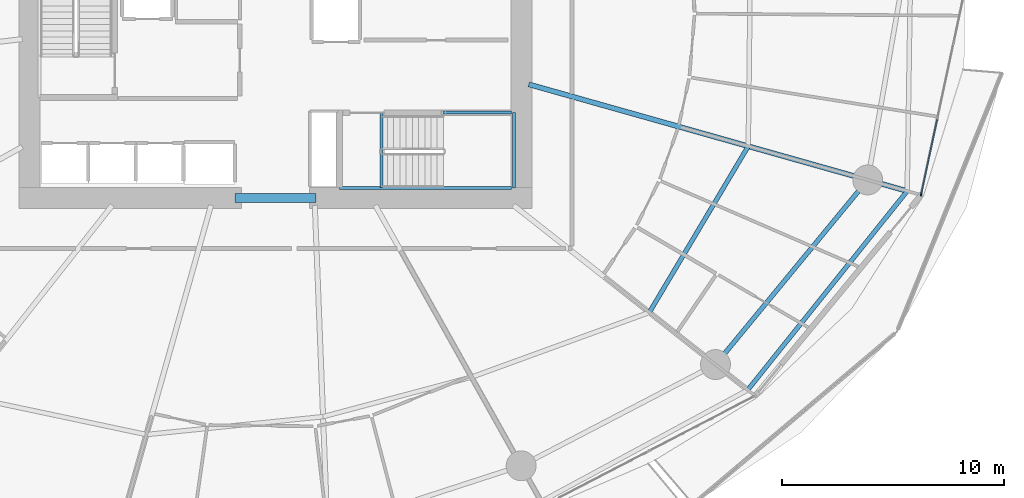
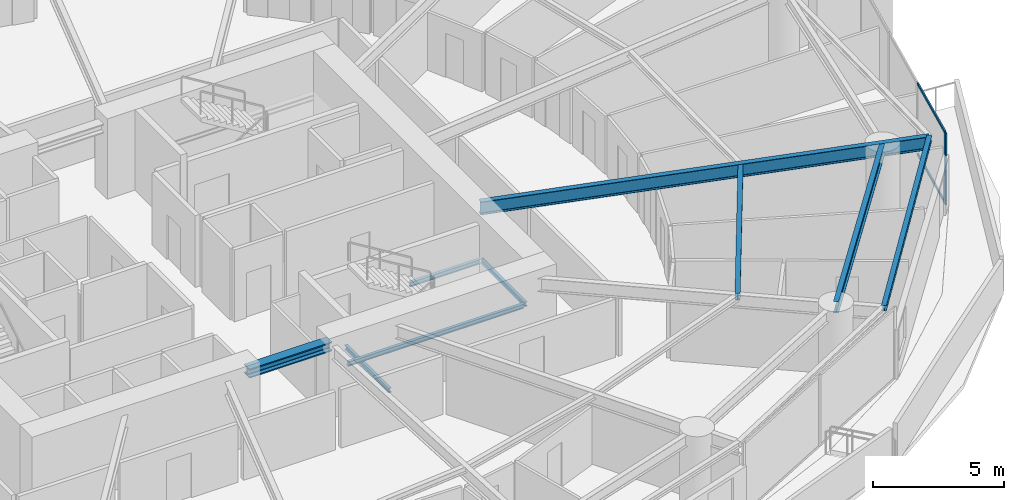
# One storey, part 10 of 31: 9 beams, 3 members, 1 element without a shape of its own.
"""IFC4 building model written with IfcOpenShell, lengths in metres."""

from ifc_helpers import new_model, si_unit, direction, frame, origin, origin_2d, place, context, subcontext, project, spatial, rectangle, i_section, extrude, material, layer, layer_set, material_profile, profile_set, type_object, element, aggregate, save


model = new_model("IFC4")

# Units and contexts
model_context = context("Model", 3, precision=1e-05, world=origin(), true_north=direction((0.0, 1.0)))
body_context = subcontext(model_context, "Body", "Model", "MODEL_VIEW")
ifc_project = project(units=[si_unit("LENGTHUNIT", "METRE"), si_unit("AREAUNIT", "SQUARE_METRE"), si_unit("VOLUMEUNIT", "CUBIC_METRE"), si_unit("PLANEANGLEUNIT", "RADIAN"), si_unit("MASSUNIT", "GRAM", prefix="KILO")], contexts=[model_context])

# Site, building, storey
site_placement = place(None, origin())
site = spatial("IfcSite", under=ifc_project, at=site_placement, CompositionType="ELEMENT")
building_placement = place(site_placement, origin())
building = spatial("IfcBuilding", under=site, at=building_placement, Name="Kazma Halo Residences", CompositionType="ELEMENT")
storey_placement = place(building_placement, frame((0.0, 0.0, 67.64990234375)))
storey = spatial("IfcBuildingStorey", under=building, at=storey_placement, Name="L16", CompositionType="ELEMENT", Elevation=67.64990234375)

# Beams
ifc_material_1 = material(Name="Steel S355", Category="steel")
ifc_material_profile_1 = material_profile(ifc_material_1, i_section(OverallWidth=0.201904296875, OverallDepth=0.2470703125, WebThickness=0.00732421875, FlangeThickness=0.010986328125, FilletRadius=0.011962890625, at=origin_2d()), Name="W250x49.1")
ifc_profile_set_1 = profile_set([ifc_material_profile_1], Name="Steel S355")
beam_type_1 = type_object("IfcBeamType", Name="BM-BAL-CANT", PredefinedType="BEAM", material=ifc_profile_set_1)
beam_1_placement = place(storey_placement, frame((69.728515625, 24.87060546875, 3.2265625), z_axis=(0.625476617708, 0.780242911343, 0.0), x_axis=(-0.780242911343, 0.625476617708, 0.0)))
element("IfcBeam", 1, at=beam_1_placement, inside=storey, type_object=beam_type_1, Name="L16 wave-balcony tie beam 14", PredefinedType="BEAM", context=body_context, shape_type="SweptSolid", body=[
    extrude(i_section(OverallWidth=0.201904296875, OverallDepth=0.2470703125, WebThickness=0.00732421875, FlangeThickness=0.010986328125, FilletRadius=0.011962890625, at=origin_2d()), origin(), (0.0, 0.0, 1.0), 11.499755859375),
])
ifc_material_profile_2 = material_profile(ifc_material_1, i_section(OverallWidth=0.408935546875, OverallDepth=0.425048828125, WebThickness=0.03271484375, FlangeThickness=0.052490234375, FilletRadius=0.02001953125, at=origin_2d()), Name="W360x421")
ifc_profile_set_2 = profile_set([ifc_material_profile_2], Name="Steel S355")
beam_type_2 = type_object("IfcBeamType", Name="BM-CORE-W360H", PredefinedType="BEAM", material=ifc_profile_set_2)
beam_2_placement = place(storey_placement, frame((46.60009765625, 33.52490234375, 3.1376953125), z_axis=(1.0, 0.0, 0.0), x_axis=(0.0, 1.0, 0.0)))
element("IfcBeam", 2, at=beam_2_placement, inside=storey, type_object=beam_type_2, Name="L16 core coupling beam S", PredefinedType="BEAM", context=body_context, shape_type="SweptSolid", body=[
    extrude(i_section(OverallWidth=0.408935546875, OverallDepth=0.425048828125, WebThickness=0.03271484375, FlangeThickness=0.052490234375, FilletRadius=0.02001953125, at=origin_2d()), origin(), (0.0, 0.0, 1.0), 3.64990234375),
])
ifc_material_profile_3 = material_profile(ifc_material_1, i_section(OverallWidth=0.22802734375, OverallDepth=0.60791015625, WebThickness=0.01123046875, FlangeThickness=0.017333984375, FilletRadius=0.01806640625, at=origin_2d()), Name="W610x113")
ifc_profile_set_3 = profile_set([ifc_material_profile_3], Name="Steel S355")
beam_type_3 = type_object("IfcBeamType", Name="BM-RAD-W610", PredefinedType="BEAM", material=ifc_profile_set_3)
beam_3_placement = place(storey_placement, frame((59.85009765625, 38.657958984375, 3.046142578125), z_axis=(0.962453825278, -0.271445453468, 0.0), x_axis=(0.271445453468, 0.962453825278, 0.0)))
element("IfcBeam", 3, at=beam_3_placement, inside=storey, type_object=beam_type_3, Name="L16 radial floor beam 15", PredefinedType="BEAM", context=body_context, shape_type="SweptSolid", body=[
    extrude(i_section(OverallWidth=0.22802734375, OverallDepth=0.60791015625, WebThickness=0.01123046875, FlangeThickness=0.017333984375, FilletRadius=0.01806640625, at=origin_2d()), origin(), (0.0, 0.0, 1.0), 17.7373046875),
])
ifc_material_profile_4 = material_profile(ifc_material_1, i_section(OverallWidth=0.202880859375, OverallDepth=0.302978515625, WebThickness=0.007568359375, FlangeThickness=0.01318359375, FilletRadius=0.013916015625, at=origin_2d()), Name="W310x60")
ifc_profile_set_4 = profile_set([ifc_material_profile_4], Name="Steel S355")
beam_type_4 = type_object("IfcBeamType", Name="BM-SEC-W310A", PredefinedType="JOIST", material=ifc_profile_set_4)
beam_4_placement = place(storey_placement, frame((65.291015625, 28.368896484375, 3.198486328125), z_axis=(0.511331320511, 0.859383663252, 0.0), x_axis=(-0.859383663252, 0.511331320511, 0.0)))
element("IfcBeam", 4, at=beam_4_placement, inside=storey, type_object=beam_type_4, Name="L16 circumferential floor joist 14", PredefinedType="JOIST", context=body_context, shape_type="SweptSolid", body=[
    extrude(i_section(OverallWidth=0.202880859375, OverallDepth=0.302978515625, WebThickness=0.007568359375, FlangeThickness=0.01318359375, FilletRadius=0.013916015625, at=origin_2d()), origin(), (0.0, 0.0, 1.0), 8.72314453125),
])
ifc_material_profile_5 = material_profile(ifc_material_1, i_section(OverallWidth=0.208984375, OverallDepth=0.532958984375, WebThickness=0.01025390625, FlangeThickness=0.015625, FilletRadius=0.01611328125, at=origin_2d()), Name="W530x92")
ifc_profile_set_5 = profile_set([ifc_material_profile_5], Name="Steel S355")
beam_type_5 = type_object("IfcBeamType", Name="BM-SPN-W530", PredefinedType="BEAM", material=ifc_profile_set_5)
beam_5_placement = place(storey_placement, frame((68.27587890625, 26.015869140625, 3.08349609375), z_axis=(0.636001336663, 0.771687954916, 0.0), x_axis=(-0.771687954916, 0.636001336663, 0.0)))
element("IfcBeam", 5, at=beam_5_placement, inside=storey, type_object=beam_type_5, Name="L16 perimeter ring beam 14", PredefinedType="BEAM", context=body_context, shape_type="SweptSolid", body=[
    extrude(i_section(OverallWidth=0.208984375, OverallDepth=0.532958984375, WebThickness=0.01025390625, FlangeThickness=0.015625, FilletRadius=0.01611328125, at=origin_2d()), origin(), (0.0, 0.0, 1.0), 10.7939453125),
])
ifc_material_profile_6 = material_profile(ifc_material_1, i_section(OverallWidth=0.133056640625, OverallDepth=0.20703125, WebThickness=0.005859375, FlangeThickness=0.00830078125, FilletRadius=0.010009765625, at=origin_2d()), Name="W200x26.6")
ifc_profile_set_6 = profile_set([ifc_material_profile_6], Name="Steel S355")
beam_type_6 = type_object("IfcBeamType", Name="BM-TRIM-W200", PredefinedType="BEAM", material=ifc_profile_set_6)
beam_6_placement = place(storey_placement, frame((53.199951171875, 34.0, -0.35986328125), z_axis=(0.0, 1.0, 0.0), x_axis=(-1.0, 0.0, 0.0)))
element("IfcBeam", 6, at=beam_6_placement, inside=storey, type_object=beam_type_6, Name="L16 ST-03 floor landing support beam", PredefinedType="BEAM", context=body_context, shape_type="SweptSolid", body=[
    extrude(i_section(OverallWidth=0.133056640625, OverallDepth=0.20703125, WebThickness=0.005859375, FlangeThickness=0.00830078125, FilletRadius=0.010009765625, at=origin_2d()), origin(), (0.0, 0.0, 1.0), 3.3798828125),
])
beam_7_placement = place(storey_placement, frame((51.31005859375, 33.97998046875, 1.570068359375), z_axis=(1.0, 0.0, 0.0), x_axis=(0.0, 1.0, 0.0)))
element("IfcBeam", 7, at=beam_7_placement, inside=storey, type_object=beam_type_6, Name="L16 ST-03 landing south wall ledger", PredefinedType="BEAM", context=body_context, shape_type="SweptSolid", body=[
    extrude(i_section(OverallWidth=0.133056640625, OverallDepth=0.20703125, WebThickness=0.005859375, FlangeThickness=0.00830078125, FilletRadius=0.010009765625, at=origin_2d()), origin(), (0.0, 0.0, 1.0), 7.760009765625),
])
beam_8_placement = place(storey_placement, frame((56.0, 37.3798828125, 1.570068359375), z_axis=(1.0, 0.0, 0.0), x_axis=(0.0, 1.0, 0.0)))
element("IfcBeam", 8, at=beam_8_placement, inside=storey, type_object=beam_type_6, Name="L16 ST-03 landing north wall ledger", PredefinedType="BEAM", context=body_context, shape_type="SweptSolid", body=[
    extrude(i_section(OverallWidth=0.133056640625, OverallDepth=0.20703125, WebThickness=0.005859375, FlangeThickness=0.00830078125, FilletRadius=0.010009765625, at=origin_2d()), origin(), (0.0, 0.0, 1.0), 3.070068359375),
])
beam_9_placement = place(storey_placement, frame((59.18994140625, 33.97998046875, 1.570068359375), z_axis=(0.0, 1.0, 0.0), x_axis=(-1.0, 0.0, 0.0)))
element("IfcBeam", 9, at=beam_9_placement, inside=storey, type_object=beam_type_6, Name="L16 ST-03 landing end wall ledger", PredefinedType="BEAM", context=body_context, shape_type="SweptSolid", body=[
    extrude(i_section(OverallWidth=0.133056640625, OverallDepth=0.20703125, WebThickness=0.005859375, FlangeThickness=0.00830078125, FilletRadius=0.010009765625, at=origin_2d()), origin(), (0.0, 0.0, 1.0), 3.39990234375),
])

# Curtain wall, members
ifc_material_2 = material(Name="Aluminium AW-6063 T6 and Triple-Silver Low-E Glass", Category="aluminium")
ifc_layer = layer(ifc_material_2, 0.159912109375)
ifc_layer_set = layer_set([ifc_layer], Name="Aluminium AW-6063 T6 and Triple-Silver Low-E Glass")
curtain_wall_type = type_object("IfcCurtainWallType", Name="CW-SYS-2", PredefinedType="NOTDEFINED", material=ifc_layer_set)
curtain_wall_placement = place(storey_placement, origin())
curtain_wall = element("IfcCurtainWall", 10, at=curtain_wall_placement, inside=storey, type_object=curtain_wall_type, Name="L16 unitised curtain wall B15", PredefinedType="NOTDEFINED")
ifc_material_3 = material(Name="Aluminium AW-6063 T6", Category="aluminium")
ifc_material_profile_7 = material_profile(ifc_material_3, rectangle(XDim=0.06005859375, YDim=0.159912109375, at=origin_2d()), Name="CWM-60x160")
ifc_profile_set_7 = profile_set([ifc_material_profile_7], Name="Aluminium AW-6063 T6")
member_type_1 = type_object("IfcMemberType", Name="CW-SYS-2-MUL", PredefinedType="MULLION", material=ifc_profile_set_7)
member_1_placement = place(storey_placement, frame((77.552978515625, 33.6962890625, 0.0), z_axis=(0.0, 0.0, 1.0), x_axis=(-0.977779215096, 0.209637321406, 0.0)))
member_1 = element("IfcMember", 11, at=member_1_placement, type_object=member_type_1, Name="CWS-2 mullion 1", PredefinedType="MULLION", context=body_context, shape_type="SweptSolid", body=[
    extrude(rectangle(XDim=0.06005859375, YDim=0.159912109375, at=origin_2d()), origin(), (0.0, 0.0, 1.0), 3.35009765625),
])
ifc_material_profile_8 = material_profile(ifc_material_3, rectangle(XDim=0.06005859375, YDim=0.1201171875, at=origin_2d()), Name="CWT-60x120")
ifc_profile_set_8 = profile_set([ifc_material_profile_8], Name="Aluminium AW-6063 T6")
member_type_2 = type_object("IfcMemberType", Name="CW-SYS-2-TRN", PredefinedType="USERDEFINED", material=ifc_profile_set_8)
member_2_placement = place(storey_placement, frame((77.559326171875, 33.7255859375, 0.030029296875), z_axis=(0.209650877007, 0.977776308657, 0.0), x_axis=(-0.977776308657, 0.209650877007, 0.0)))
member_2 = element("IfcMember", 12, at=member_2_placement, type_object=member_type_2, Name="CWS-2 transom 1.1", ObjectType="TRANSOM", PredefinedType="USERDEFINED", context=body_context, shape_type="SweptSolid", body=[
    extrude(rectangle(XDim=0.06005859375, YDim=0.1201171875, at=origin_2d()), origin(), (0.0, 0.0, 1.0), 3.422607421875),
])
member_3_placement = place(storey_placement, frame((77.559326171875, 33.7255859375, 3.320068359375), z_axis=(0.209650877007, 0.977776308657, 0.0), x_axis=(-0.977776308657, 0.209650877007, 0.0)))
member_3 = element("IfcMember", 13, at=member_3_placement, type_object=member_type_2, Name="CWS-2 transom 1.2", ObjectType="TRANSOM", PredefinedType="USERDEFINED", context=body_context, shape_type="SweptSolid", body=[
    extrude(rectangle(XDim=0.06005859375, YDim=0.1201171875, at=origin_2d()), origin(), (0.0, 0.0, 1.0), 3.422607421875),
])
aggregate(curtain_wall, [member_1, member_2, member_3])

save(model, "model.ifc")
